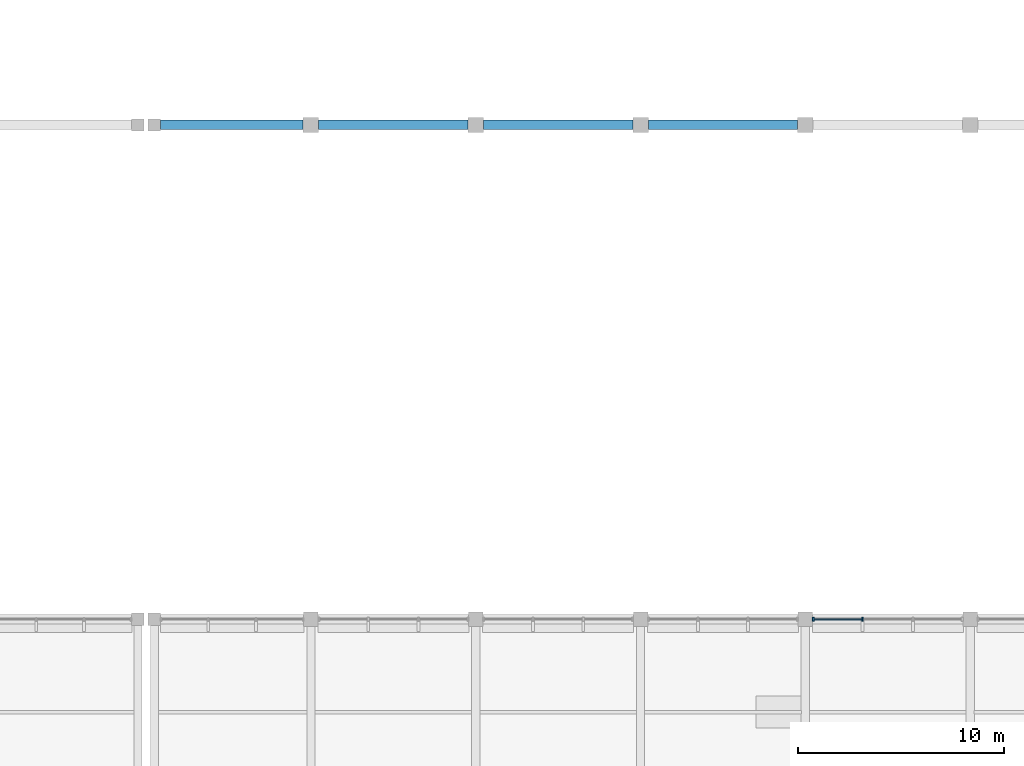
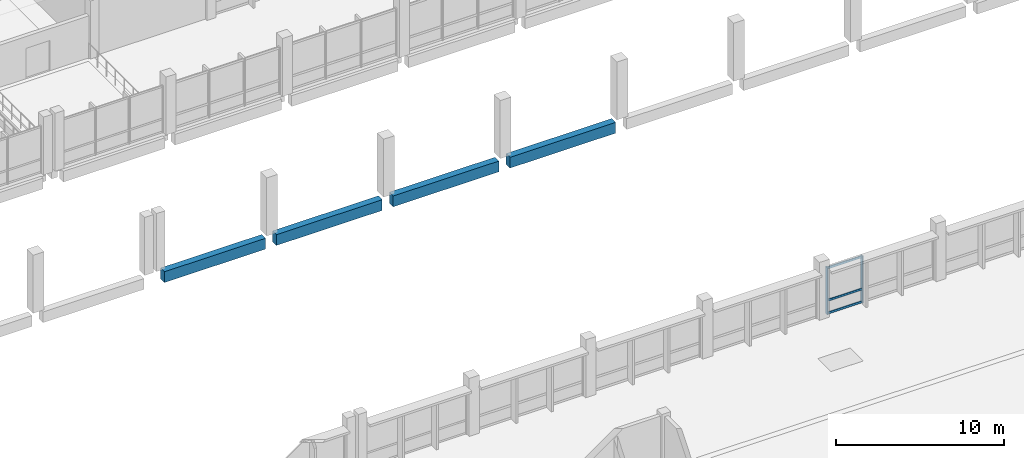
# One storey, part 33 of 70: 5 members, 4 beams, 1 element without a shape of its own.
"""IFC4 building model written with IfcOpenShell, lengths in metres."""

from ifc_helpers import new_model, si_unit, direction, frame, origin, origin_2d, place, context, subcontext, project, spatial, rectangle, extrude, material, material_profile, profile_set, type_object, element, aggregate, save


model = new_model("IFC4")

# Units and contexts
model_context = context("Model", 3, precision=1e-05, world=origin(), true_north=direction((0.0, 1.0)))
body_context = subcontext(model_context, "Body", "Model", "MODEL_VIEW")
ifc_project = project(units=[si_unit("LENGTHUNIT", "METRE"), si_unit("AREAUNIT", "SQUARE_METRE"), si_unit("VOLUMEUNIT", "CUBIC_METRE"), si_unit("PLANEANGLEUNIT", "RADIAN"), si_unit("MASSUNIT", "GRAM", prefix="KILO"), si_unit("THERMODYNAMICTEMPERATUREUNIT", "KELVIN"), si_unit("POWERUNIT", "WATT")], contexts=[model_context])

# Site, building, storey
site_placement = place(None, origin())
site = spatial("IfcSite", under=ifc_project, at=site_placement, CompositionType="ELEMENT")
building_placement = place(site_placement, origin())
building = spatial("IfcBuilding", under=site, at=building_placement, Name="Kronsvod Quay Wholesale Market", CompositionType="ELEMENT")
storey_placement = place(building_placement, frame((0.0, 0.0, 9.0)))
storey = spatial("IfcBuildingStorey", under=building, at=storey_placement, Name="L02", CompositionType="ELEMENT", Elevation=9.0)

# Beams
ifc_material_1 = material(Name="Precast concrete C40/50", Category="concrete")
ifc_material_profile_1 = material_profile(ifc_material_1, rectangle(XDim=0.4599609375, YDim=0.780029296875, at=origin_2d()), Name="PB-03")
ifc_profile_set_1 = profile_set([ifc_material_profile_1], Name="Precast concrete C40/50")
beam_type = type_object("IfcBeamType", Name="Beam_PCB460x780", PredefinedType="BEAM", material=ifc_profile_set_1)
beam_placement = place(storey_placement, frame((128.699951171875, 78.0, -0.64990234375), z_axis=(1.0, 0.0, 0.0), x_axis=(0.0, 1.0, 0.0)))
element("IfcBeam", 1, at=beam_placement, inside=storey, type_object=beam_type, Name="BMX-L02-1284-780", PredefinedType="BEAM", context=body_context, shape_type="SweptSolid", body=[
    extrude(rectangle(XDim=0.4599609375, YDim=0.780029296875, at=origin_2d()), origin(), (0.0, 0.0, 1.0), 6.925048828125),
])
for number, where, z_axis, x_axis, name in (
    (2, (136.375, 78.0, -0.64990234375), (1.0, 0.0, 0.0), (0.0, 1.0, 0.0), "BMX-L02-1360-780"),
    (3, (144.375, 78.0, -0.64990234375), (1.0, 0.0, 0.0), (0.0, 1.0, 0.0), "BMX-L02-1440-780"),
    (4, (152.375, 78.0, -0.64990234375), (1.0, 0.0, 0.0), (0.0, 1.0, 0.0), "BMX-L02-1520-780"),
):
    element("IfcBeam", number, at=place(storey_placement, frame(where, z_axis=z_axis, x_axis=x_axis)), inside=storey, type_object=beam_type, Name=name, PredefinedType="BEAM", context=body_context, shape_type="SweptSolid", body=[
        extrude(rectangle(XDim=0.4599609375, YDim=0.780029296875, at=origin_2d()), origin(), (0.0, 0.0, 1.0), 7.25),
    ])

# Curtain wall, members
ifc_material_2 = material(Name="Thermally broken aluminium and triple low-E glazing", Category="aluminium")
curtain_wall_type = type_object("IfcCurtainWallType", Name="CW_Clerestory80x32", PredefinedType="NOTDEFINED", material=ifc_material_2)
curtain_wall_placement = place(storey_placement, origin())
curtain_wall = element("IfcCurtainWall", 5, at=curtain_wall_placement, inside=storey, type_object=curtain_wall_type, Name="CWGX-L02-1600-540", PredefinedType="NOTDEFINED")
ifc_material_3 = material(Name="Anodised aluminium", Category="aluminium")
ifc_material_profile_2 = material_profile(ifc_material_3, rectangle(XDim=0.074951171875, YDim=0.199951171875, at=origin_2d()), Name="ALUM75x200")
ifc_profile_set_2 = profile_set([ifc_material_profile_2], Name="Anodised aluminium")
member_type_1 = type_object("IfcMemberType", Name="Mullion_ALU75x200", PredefinedType="MULLION", material=ifc_profile_set_2)
member_1_placement = place(storey_placement, frame((160.382568359375, 54.0, 0.0), z_axis=(0.0, 0.0, 1.0), x_axis=(1.0, 0.0, 0.0)))
member_1 = element("IfcMember", 6, at=member_1_placement, type_object=member_type_1, Name="CWGX-L02-1600-540-M1", PredefinedType="MULLION", context=body_context, shape_type="SweptSolid", body=[
    extrude(rectangle(XDim=0.074951171875, YDim=0.199951171875, at=origin_2d()), origin(), (0.0, 0.0, 1.0), 3.419921875),
])
member_2_placement = place(storey_placement, frame((162.78173828125, 54.0, 0.0), z_axis=(0.0, 0.0, 1.0), x_axis=(1.0, 0.0, 0.0)))
member_2 = element("IfcMember", 7, at=member_2_placement, type_object=member_type_1, Name="CWGX-L02-1600-540-M2", PredefinedType="MULLION", context=body_context, shape_type="SweptSolid", body=[
    extrude(rectangle(XDim=0.074951171875, YDim=0.199951171875, at=origin_2d()), origin(), (0.0, 0.0, 1.0), 3.419921875),
])
ifc_material_4 = material(Name="Anodised aluminium", Category="aluminium")
ifc_material_profile_3 = material_profile(ifc_material_4, rectangle(XDim=0.074951171875, YDim=0.14990234375, at=origin_2d()), Name="ALUT75x150")
ifc_profile_set_3 = profile_set([ifc_material_profile_3], Name="Anodised aluminium")
member_type_2 = type_object("IfcMemberType", Name="Transom_ALU75x150", PredefinedType="USERDEFINED", material=ifc_profile_set_3)
member_3_placement = place(storey_placement, frame((160.419921875, 54.0, 0.074951171875), z_axis=(1.0, 0.0, 0.0), x_axis=(0.0, 1.0, 0.0)))
member_3 = element("IfcMember", 8, at=member_3_placement, type_object=member_type_2, Name="CWGX-L02-1600-540-T1B1", ObjectType="TRANSOM", PredefinedType="USERDEFINED", context=body_context, shape_type="SweptSolid", body=[
    extrude(rectangle(XDim=0.074951171875, YDim=0.14990234375, at=origin_2d()), origin(), (0.0, 0.0, 1.0), 2.32421875),
])
member_4_placement = place(storey_placement, frame((160.419921875, 54.0, 1.0), z_axis=(1.0, 0.0, 0.0), x_axis=(0.0, 1.0, 0.0)))
member_4 = element("IfcMember", 9, at=member_4_placement, type_object=member_type_2, Name="CWGX-L02-1600-540-T2B1", ObjectType="TRANSOM", PredefinedType="USERDEFINED", context=body_context, shape_type="SweptSolid", body=[
    extrude(rectangle(XDim=0.074951171875, YDim=0.14990234375, at=origin_2d()), origin(), (0.0, 0.0, 1.0), 2.32421875),
])
member_5_placement = place(storey_placement, frame((160.419921875, 54.0, 3.344970703125), z_axis=(1.0, 0.0, 0.0), x_axis=(0.0, 1.0, 0.0)))
member_5 = element("IfcMember", 10, at=member_5_placement, type_object=member_type_2, Name="CWGX-L02-1600-540-T3B1", ObjectType="TRANSOM", PredefinedType="USERDEFINED", context=body_context, shape_type="SweptSolid", body=[
    extrude(rectangle(XDim=0.074951171875, YDim=0.14990234375, at=origin_2d()), origin(), (0.0, 0.0, 1.0), 2.32421875),
])
aggregate(curtain_wall, [member_1, member_2, member_3, member_4, member_5])

save(model, "model.ifc")
